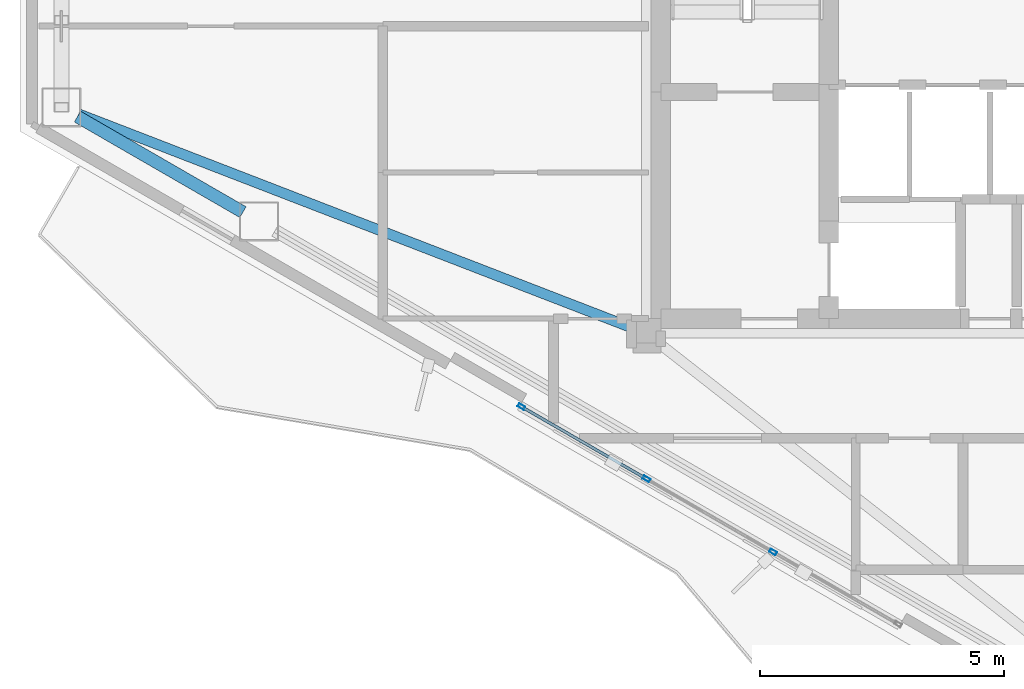
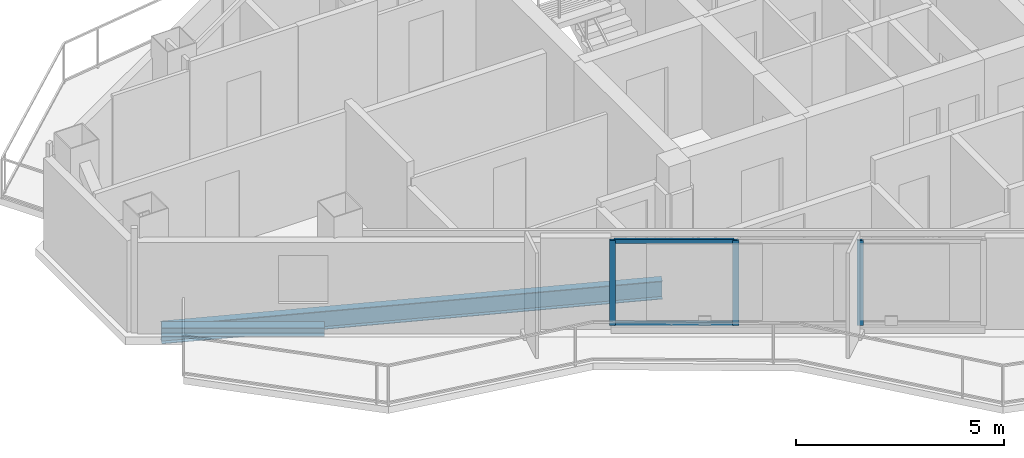
# One storey, part 2 of 22: 5 members, 2 beams, 1 element without a shape of its own.
"""IFC4 building model written with IfcOpenShell, lengths in metres."""

from ifc_helpers import new_model, si_unit, direction, frame, origin, origin_2d, place, context, subcontext, project, spatial, hollow_rectangle, i_section, extrude, material, layer, layer_set, material_profile, profile_set, type_object, element, aggregate, save


model = new_model("IFC4")

# Units and contexts
model_context = context("Model", 3, precision=1e-05, world=origin(), true_north=direction((0.0, 1.0)))
body_context = subcontext(model_context, "Body", "Model", "MODEL_VIEW")
ifc_project = project(units=[si_unit("LENGTHUNIT", "METRE"), si_unit("AREAUNIT", "SQUARE_METRE"), si_unit("VOLUMEUNIT", "CUBIC_METRE"), si_unit("PLANEANGLEUNIT", "RADIAN"), si_unit("MASSUNIT", "GRAM", prefix="KILO")], contexts=[model_context])

# Site, building, storey
site_placement = place(None, origin())
site = spatial("IfcSite", under=ifc_project, at=site_placement, CompositionType="ELEMENT")
building_placement = place(site_placement, origin())
building = spatial("IfcBuilding", under=site, at=building_placement, Name="Mersakhor Tower and Convention Hall", CompositionType="ELEMENT")
storey_placement = place(building_placement, frame((0.0, 0.0, 201.89990234375)))
storey = spatial("IfcBuildingStorey", under=building, at=storey_placement, Name="L56", CompositionType="ELEMENT", Elevation=201.89990234375)

# Beams
ifc_material_1 = material(Name="Steel S355", Category="steel")
ifc_material_profile_1 = material_profile(ifc_material_1, i_section(OverallWidth=0.2099609375, OverallDepth=0.53662109375, WebThickness=0.0107421875, FlangeThickness=0.017333984375, at=origin_2d()), Name="UB 533x210x101")
ifc_profile_set_1 = profile_set([ifc_material_profile_1], Name="Steel S355")
beam_type_1 = type_object("IfcBeamType", Name="BM-FB-533", PredefinedType="BEAM", material=ifc_profile_set_1)
beam_1_placement = place(storey_placement, frame((21.638916015625, 20.55078125, -0.498291015625), z_axis=(-0.932761425449, 0.36049427623, 0.0), x_axis=(-0.36049427623, -0.932761425449, 0.0)))
element("IfcBeam", 1, at=beam_1_placement, inside=storey, type_object=beam_type_1, Name="L56 Primary Floor Girder FG-6", PredefinedType="BEAM", context=body_context, shape_type="SweptSolid", body=[
    extrude(i_section(OverallWidth=0.2099609375, OverallDepth=0.53662109375, WebThickness=0.0107421875, FlangeThickness=0.017333984375, at=origin_2d()), origin(), (0.0, 0.0, 1.0), 12.197021484375),
])
ifc_material_2 = material(Name="Steel S355", Category="steel")
ifc_material_profile_2 = material_profile(ifc_material_2, i_section(OverallWidth=0.25634765625, OverallDepth=0.26025390625, WebThickness=0.01025390625, FlangeThickness=0.017333984375, at=origin_2d()), Name="UC 254x254x89")
ifc_profile_set_2 = profile_set([ifc_material_profile_2], Name="Steel S355")
beam_type_2 = type_object("IfcBeamType", Name="BM-SPD-UC254", PredefinedType="SPANDREL", material=ifc_profile_set_2)
beam_2_placement = place(storey_placement, frame((13.630615234375, 22.93505859375, -0.360107421875), z_axis=(-0.866007153761, 0.500031608635, 0.0), x_axis=(-0.500031608635, -0.866007153761, 0.0)))
element("IfcBeam", 2, at=beam_2_placement, inside=storey, type_object=beam_type_2, Name="L56 Perimeter Spandrel Beam SPB-11", PredefinedType="SPANDREL", context=body_context, shape_type="SweptSolid", body=[
    extrude(i_section(OverallWidth=0.25634765625, OverallDepth=0.26025390625, WebThickness=0.01025390625, FlangeThickness=0.017333984375, at=origin_2d()), origin(), (0.0, 0.0, 1.0), 3.919189453125),
])

# Curtain wall, members
ifc_material_3 = material(Name="Dark solar low-E aluminium curtain wall", Category="aluminium")
ifc_layer = layer(ifc_material_3, 0.169921875)
ifc_layer_set = layer_set([ifc_layer], Name="Dark solar low-E aluminium curtain wall")
curtain_wall_type = type_object("IfcCurtainWallType", Name="CW-SYS-02", PredefinedType="USERDEFINED", material=ifc_layer_set)
curtain_wall_placement = place(storey_placement, origin())
curtain_wall = element("IfcCurtainWall", 3, at=curtain_wall_placement, inside=storey, type_object=curtain_wall_type, Name="L56 Dark-Glass Curtain Wall F3-B2", ObjectType="CURTAIN WALL", PredefinedType="USERDEFINED")
ifc_material_4 = material(Name="Anodised aluminium EN AW-6063 T6", Category="aluminium")
ifc_material_profile_3 = material_profile(ifc_material_4, hollow_rectangle(XDim=0.074951171875, YDim=0.14990234375, WallThickness=0.00634765625, at=origin_2d()), Name="RHS 150x75x6.3")
ifc_profile_set_3 = profile_set([ifc_material_profile_3], Name="Anodised aluminium EN AW-6063 T6")
member_type_1 = type_object("IfcMemberType", Name="CWM-150x75", PredefinedType="MULLION", material=ifc_profile_set_3)
member_1_placement = place(storey_placement, frame((24.504638671875, 15.964111328125, 0.2001953125), z_axis=(0.0, 0.0, 1.0), x_axis=(-0.500007824483, -0.86602088627, 0.0)))
member_1 = element("IfcMember", 4, at=member_1_placement, type_object=member_type_1, Name="CW-02 mullion 2", PredefinedType="MULLION", context=body_context, shape_type="SweptSolid", body=[
    extrude(hollow_rectangle(XDim=0.074951171875, YDim=0.14990234375, WallThickness=0.00634765625, at=origin_2d()), origin(), (0.0, 0.0, 1.0), 2.489990234375),
])
member_2_placement = place(storey_placement, frame((21.906982421875, 17.464111328125, 0.2001953125), z_axis=(0.0, 0.0, 1.0), x_axis=(-0.500007824483, -0.86602088627, 0.0)))
member_2 = element("IfcMember", 5, at=member_2_placement, type_object=member_type_1, Name="CW-02 mullion 3", PredefinedType="MULLION", context=body_context, shape_type="SweptSolid", body=[
    extrude(hollow_rectangle(XDim=0.074951171875, YDim=0.14990234375, WallThickness=0.00634765625, at=origin_2d()), origin(), (0.0, 0.0, 1.0), 2.489990234375),
])
member_3_placement = place(storey_placement, frame((19.341796875, 18.945068359375, 0.2001953125), z_axis=(0.0, 0.0, 1.0), x_axis=(-0.500007824483, -0.86602088627, 0.0)))
member_3 = element("IfcMember", 6, at=member_3_placement, type_object=member_type_1, Name="CW-02 mullion 4", PredefinedType="MULLION", context=body_context, shape_type="SweptSolid", body=[
    extrude(hollow_rectangle(XDim=0.074951171875, YDim=0.14990234375, WallThickness=0.00634765625, at=origin_2d()), origin(), (0.0, 0.0, 1.0), 2.489990234375),
])
ifc_material_5 = material(Name="Anodised aluminium EN AW-6063 T6", Category="aluminium")
ifc_material_profile_4 = material_profile(ifc_material_5, hollow_rectangle(XDim=0.06005859375, YDim=0.1201171875, WallThickness=0.0048828125, at=origin_2d()), Name="RHS 120x60x5")
ifc_profile_set_4 = profile_set([ifc_material_profile_4], Name="Anodised aluminium EN AW-6063 T6")
member_type_2 = type_object("IfcMemberType", Name="CWT-120x60", PredefinedType="USERDEFINED", material=ifc_profile_set_4)
member_4_placement = place(storey_placement, frame((21.87451171875, 17.48291015625, 0.22998046875), z_axis=(-0.86601237176, 0.50002257145, 0.0), x_axis=(-0.50002257145, -0.86601237176, 0.0)))
member_4 = element("IfcMember", 7, at=member_4_placement, type_object=member_type_2, Name="CW-02 transom 3.1", ObjectType="TRANSOM", PredefinedType="USERDEFINED", context=body_context, shape_type="SweptSolid", body=[
    extrude(hollow_rectangle(XDim=0.06005859375, YDim=0.1201171875, WallThickness=0.0048828125, at=origin_2d()), origin(), (0.0, 0.0, 1.0), 2.886962890625),
])
member_5_placement = place(storey_placement, frame((21.87451171875, 17.48291015625, 2.66015625), z_axis=(-0.86601237176, 0.50002257145, 0.0), x_axis=(-0.50002257145, -0.86601237176, 0.0)))
member_5 = element("IfcMember", 8, at=member_5_placement, type_object=member_type_2, Name="CW-02 transom 3.2", ObjectType="TRANSOM", PredefinedType="USERDEFINED", context=body_context, shape_type="SweptSolid", body=[
    extrude(hollow_rectangle(XDim=0.06005859375, YDim=0.1201171875, WallThickness=0.0048828125, at=origin_2d()), origin(), (0.0, 0.0, 1.0), 2.886962890625),
])
aggregate(curtain_wall, [member_1, member_2, member_3, member_4, member_5])

save(model, "model.ifc")
